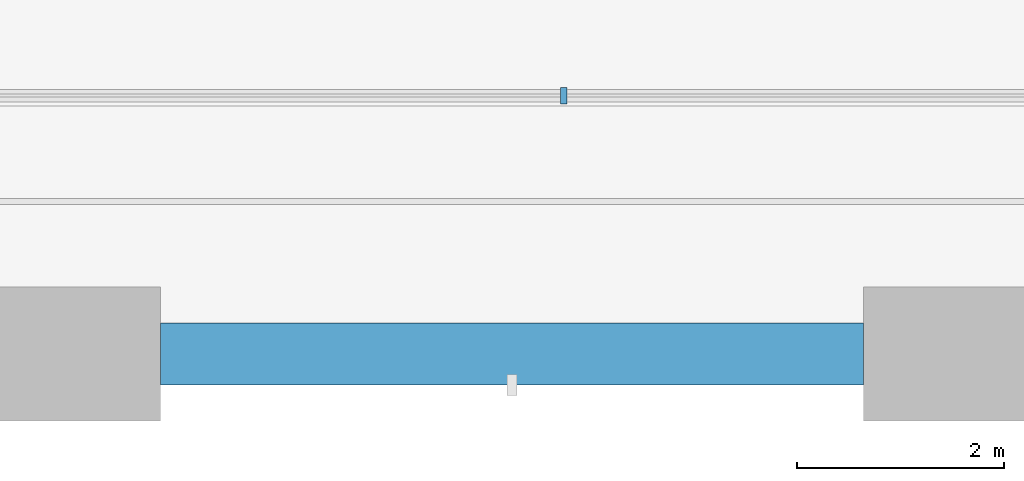
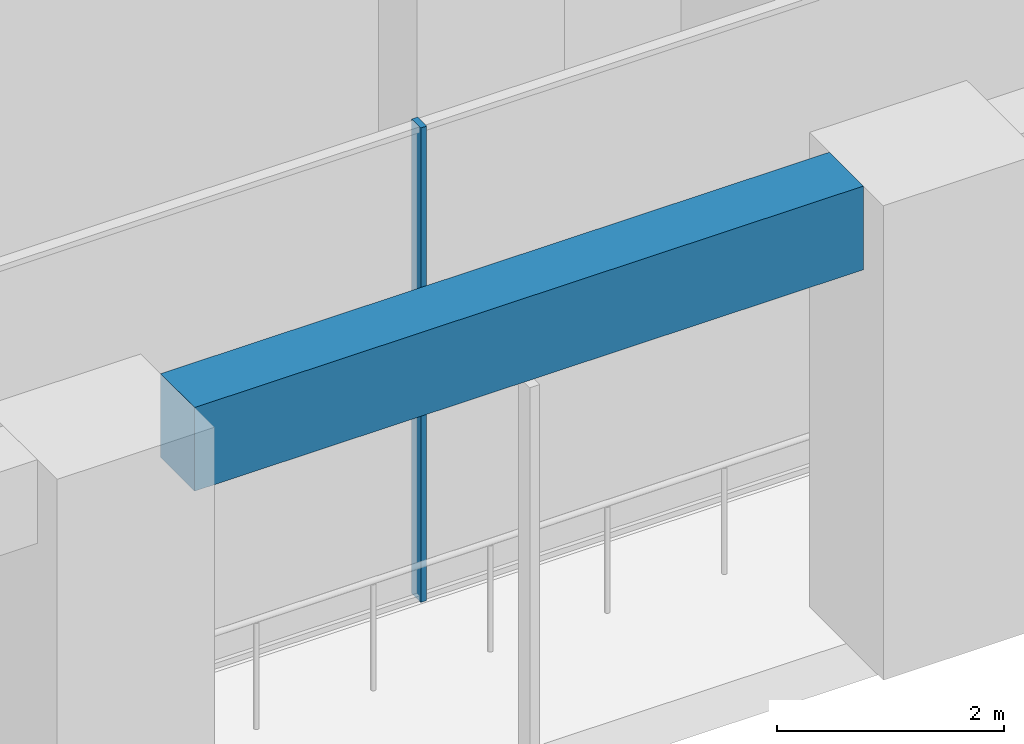
# One storey, part 3 of 33: 1 beam, 1 member, 1 element without a shape of its own.
"""IFC4 building model written with IfcOpenShell, lengths in metres."""

from ifc_helpers import new_model, si_unit, direction, frame, origin, origin_2d, place, context, subcontext, project, spatial, rectangle, extrude, material, material_profile, profile_set, type_object, element, aggregate, save


model = new_model("IFC4")

# Units and contexts
model_context = context("Model", 3, precision=1e-05, world=origin(), true_north=direction((0.0, 1.0)))
body_context = subcontext(model_context, "Body", "Model", "MODEL_VIEW")
ifc_project = project(units=[si_unit("LENGTHUNIT", "METRE"), si_unit("AREAUNIT", "SQUARE_METRE"), si_unit("VOLUMEUNIT", "CUBIC_METRE"), si_unit("PLANEANGLEUNIT", "RADIAN"), si_unit("MASSUNIT", "GRAM", prefix="KILO")], contexts=[model_context])

# Site, building, storey
site_placement = place(None, origin())
site = spatial("IfcSite", under=ifc_project, at=site_placement, CompositionType="ELEMENT")
building_placement = place(site_placement, origin())
building = spatial("IfcBuilding", under=site, at=building_placement, Name="Vermilion Gate Residences", CompositionType="ELEMENT")
storey_placement = place(building_placement, frame((0.0, 0.0, 14.39990234375)))
storey = spatial("IfcBuildingStorey", under=building, at=storey_placement, Name="L02", CompositionType="ELEMENT", Elevation=14.39990234375)

# Curtain wall, member
ifc_material_1 = material(Name="Aluminium and glass", Category="aluminium")
curtain_wall_type = type_object("IfcCurtainWallType", Name="AMENITY GLAZING CURTAIN WALL", PredefinedType="NOTDEFINED", material=ifc_material_1)
curtain_wall_placement = place(storey_placement, origin())
curtain_wall = element("IfcCurtainWall", 1, at=curtain_wall_placement, inside=storey, type_object=curtain_wall_type, Name="Amenity Glazing 60", PredefinedType="NOTDEFINED")
ifc_material_2 = material(Name="Aluminium", Category="aluminium")
ifc_material_profile_1 = material_profile(ifc_material_2, rectangle(XDim=0.159912109375, YDim=0.06005859375, at=origin_2d()), Name="MULLION 60 X 160")
ifc_profile_set_1 = profile_set([ifc_material_profile_1], Name="Aluminium")
member_type = type_object("IfcMemberType", Name="AMENITY GLAZING MULLION 60 X 160", PredefinedType="MULLION", material=ifc_profile_set_1)
member_placement = place(storey_placement, frame((29.89990234375, 2.5, 0.0), z_axis=(0.0, 0.0, 1.0), x_axis=(0.0, 1.0, 0.0)))
member = element("IfcMember", 2, at=member_placement, type_object=member_type, Name="ECW2 mullion 4", PredefinedType="MULLION", context=body_context, shape_type="SweptSolid", body=[
    extrude(rectangle(XDim=0.159912109375, YDim=0.06005859375, at=origin_2d()), origin(), (0.0, 0.0, 1.0), 5.10009765625),
])
aggregate(curtain_wall, [member])

# Beam
ifc_material_3 = material(Name="Concrete C60 red-oxide pigmented", Category="concrete")
ifc_material_profile_2 = material_profile(ifc_material_3, rectangle(XDim=0.60009765625, YDim=0.89990234375, at=origin_2d()), Name="RC-600x900")
ifc_profile_set_2 = profile_set([ifc_material_profile_2], Name="Concrete C60 red-oxide pigmented")
beam_type = type_object("IfcBeamType", Name="RC EDGE BEAM 600 X 900 C60", PredefinedType="BEAM", material=ifc_profile_set_2)
beam_placement = place(storey_placement, frame((26.0, 0.0, 4.650146484375), z_axis=(1.0, 0.0, 0.0), x_axis=(0.0, 1.0, 0.0)))
element("IfcBeam", 3, at=beam_placement, inside=storey, type_object=beam_type, Name="Edge beam L02 14", PredefinedType="BEAM", context=body_context, shape_type="SweptSolid", body=[
    extrude(rectangle(XDim=0.60009765625, YDim=0.89990234375, at=origin_2d()), origin(), (0.0, 0.0, 1.0), 6.800048828125),
])

save(model, "model.ifc")
